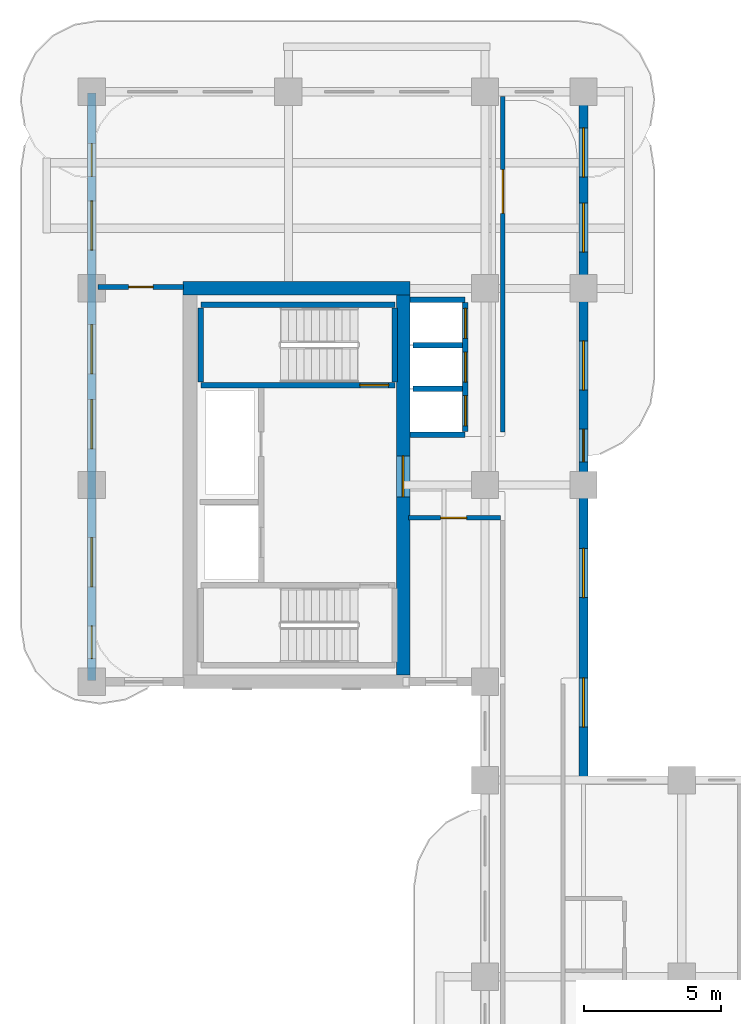
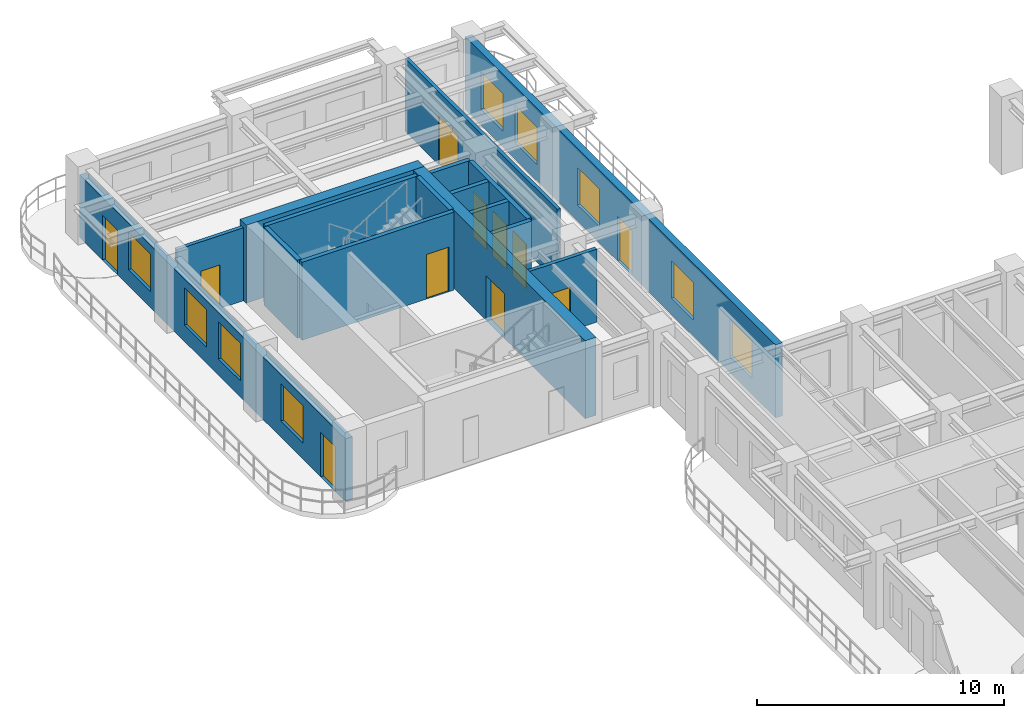
# One storey, part 9 of 15: 16 walls, 11 doors, 9 windows, 20 openings.
"""IFC4 building model written with IfcOpenShell, lengths in metres."""

from ifc_helpers import new_model, si_unit, derived_unit, direction, frame, frame_2d, origin, place, context, subcontext, project, spatial, rectangle, extrude, source, transform, mapped, material, layer, layer_set, type_object, type_shapes, element, fill, save


model = new_model("IFC4")

# Units and contexts
model_context = context("Model", 3, precision=1e-05, world=origin(), true_north=direction((0.0, 1.0)))
body_context = subcontext(model_context, "Body", "Model", "MODEL_VIEW")
ifc_project = project(units=[si_unit("LENGTHUNIT", "METRE"), si_unit("AREAUNIT", "SQUARE_METRE"), si_unit("VOLUMEUNIT", "CUBIC_METRE"), si_unit("PLANEANGLEUNIT", "RADIAN"), si_unit("MASSUNIT", "GRAM", prefix="KILO"), si_unit("THERMODYNAMICTEMPERATUREUNIT", "KELVIN"), si_unit("POWERUNIT", "WATT"), derived_unit("THERMALTRANSMITTANCEUNIT", [(si_unit("POWERUNIT", "WATT"), 1), (si_unit("AREAUNIT", "SQUARE_METRE"), -1), (si_unit("THERMODYNAMICTEMPERATUREUNIT", "KELVIN"), -1)])], contexts=[model_context])

# Site, building, storey
site_placement = place(None, origin())
site = spatial("IfcSite", under=ifc_project, at=site_placement, CompositionType="ELEMENT")
building_placement = place(site_placement, origin())
building = spatial("IfcBuilding", under=site, at=building_placement, Name="Zahravan Archway Hotel and Residences", CompositionType="ELEMENT")
storey_placement = place(building_placement, frame((0.0, 0.0, 184.949951171875)))
storey = spatial("IfcBuildingStorey", under=building, at=storey_placement, Name="L46", CompositionType="ELEMENT", Elevation=184.949951171875)

# Wall
ifc_material_1 = material(Name="Concrete C60/75", Category="concrete")
ifc_layer_1 = layer(ifc_material_1, 0.5, Name="Concrete C60/75", Category="concrete")
ifc_layer_set_1 = layer_set([ifc_layer_1], Name="Concrete C60/75")
wall_type_1 = type_object("IfcWallType", Name="CW-CORE-500", PredefinedType="SHEAR", material=ifc_layer_set_1)
wall_1_placement = place(storey_placement, frame((3.35009765625, 39.60009765625, 0.0), z_axis=(0.0, 0.0, 1.0), x_axis=(1.0, 0.0, 0.0)))
element("IfcWall", 1, at=wall_1_placement, inside=storey, type_object=wall_type_1, Name="L46 Core B Shear N Wall 500 mm", PredefinedType="SHEAR", context=body_context, shape_type="SweptSolid", body=[
    extrude(rectangle(XDim=8.2998046875, YDim=0.5, at=frame_2d((4.14990234375, 0.0))), origin(), (0.0, 0.0, 1.0), 3.85009765625),
])

# Wall, opening, door
wall_2_placement = place(storey_placement, frame((11.39990234375, 25.449951171875, 0.0), z_axis=(0.0, 0.0, 1.0), x_axis=(0.0, 1.0, 0.0)))
wall_2 = element("IfcWall", 2, at=wall_2_placement, inside=storey, type_object=wall_type_1, Name="L46 Core B Shear E Wall 500 mm", PredefinedType="SHEAR", context=body_context, shape_type="SweptSolid", body=[
    extrude(rectangle(XDim=13.900146484375, YDim=0.5, at=frame_2d((6.9501953125, 0.0))), origin(), (0.0, 0.0, 1.0), 3.85009765625),
])
opening_1_placement = place(wall_2_placement, frame((6.52001953125, 0.0, 0.0)))
opening_1 = element("IfcOpeningElement", 3, at=opening_1_placement, cuts=wall_2, Name="Opening FD-L1", PredefinedType="OPENING", context=body_context, shape_type="SweptSolid", body=[
    extrude(rectangle(XDim=1.5, YDim=2.199951171875, at=frame_2d((0.75, 1.10009765625))), frame((0.0, 0.260009765625, 0.0), z_axis=(0.0, -1.0, 0.0), x_axis=(1.0, 0.0, 0.0)), (0.0, 0.0, 1.0), 0.52001953125),
])
ifc_material_2 = material(Name="Fire-Rated Painted Steel", Category="steel")
door_type_1 = type_object("IfcDoorType", Name="FD-LOBBY-1500", OperationType="DOUBLE_DOOR_SINGLE_SWING", PredefinedType="DOOR", material=ifc_material_2)
shared_shape_1 = source(origin(), body_context, "Body", "SweptSolid", [
    extrude(rectangle(XDim=1.5, YDim=2.199951171875, at=frame_2d((0.75, 1.10009765625))), frame((0.0, 0.02490234375, 0.0), z_axis=(0.0, -1.0, 0.0), x_axis=(1.0, 0.0, 0.0)), (0.0, 0.0, 1.0), 0.050048828125),
])
type_shapes(door_type_1, [shared_shape_1])
door_1_placement = place(opening_1_placement, origin())
door_1 = element("IfcDoor", 4, at=door_1_placement, inside=storey, type_object=door_type_1, Name="L46 Core B FSAE Lobby Door", OperationType="DOUBLE_DOOR_SINGLE_SWING", OverallHeight=2.199951171875, OverallWidth=1.5, PredefinedType="DOOR", context=body_context, shape_type="MappedRepresentation", body=[
    mapped(shared_shape_1, transform((0.0, 0.0, 0.0), scale=1.0)),
])
fill(opening_1, door_1)

# Wall, openings, doors, windows
ifc_material_3 = material(Name="Agra Buff Sandstone & Insulated Backup", Category="masonry")
ifc_layer_2 = layer(ifc_material_3, 0.320068359375, Name="Agra Buff Sandstone & Insulated Backup", Category="masonry")
ifc_layer_set_2 = layer_set([ifc_layer_2], Name="Agra Buff Sandstone & Insulated Backup")
wall_type_2 = type_object("IfcWallType", Name="EW-SAND-320", PredefinedType="SOLIDWALL", material=ifc_layer_set_2)
wall_3_placement = place(storey_placement, frame((0.0, 25.25, 0.0), z_axis=(0.0, 0.0, 1.0), x_axis=(0.0, 1.0, 0.0)))
wall_3 = element("IfcWall", 5, at=wall_3_placement, inside=storey, type_object=wall_type_2, Name="L46 Exterior Sandstone Wall WB-W", PredefinedType="SOLIDWALL", context=body_context, shape_type="SweptSolid", body=[
    extrude(rectangle(XDim=21.5, YDim=0.320068359375, at=frame_2d((10.75, 0.0))), origin(), (0.0, 0.0, 1.0), 3.0849609375),
])
opening_2_placement = place(wall_3_placement, frame((18.449951171875, 0.0, 0.0)))
opening_2 = element("IfcOpeningElement", 6, at=opening_2_placement, cuts=wall_3, Name="Opening ED-BL1", PredefinedType="OPENING", context=body_context, shape_type="SweptSolid", body=[
    extrude(rectangle(XDim=1.199951171875, YDim=2.199951171875, at=frame_2d((0.60009765625, 1.10009765625))), frame((0.0, 0.169921875, 0.0), z_axis=(0.0, -1.0, 0.0), x_axis=(1.0, 0.0, 0.0)), (0.0, 0.0, 1.0), 0.340087890625),
])
opening_3_placement = place(wall_3_placement, frame((0.800048828125, 0.0, 0.0)))
opening_3 = element("IfcOpeningElement", 7, at=opening_3_placement, cuts=wall_3, Name="Opening ED-BL1", PredefinedType="OPENING", context=body_context, shape_type="SweptSolid", body=[
    extrude(rectangle(XDim=1.199951171875, YDim=2.199951171875, at=frame_2d((0.60009765625, 1.10009765625))), frame((0.0, 0.169921875, 0.0), z_axis=(0.0, -1.0, 0.0), x_axis=(1.0, 0.0, 0.0)), (0.0, 0.0, 1.0), 0.340087890625),
])
opening_4_placement = place(wall_3_placement, frame((3.425048828125, 0.0, 0.800048828125)))
opening_4 = element("IfcOpeningElement", 8, at=opening_4_placement, cuts=wall_3, Name="Opening W-02", PredefinedType="OPENING", context=body_context, shape_type="SweptSolid", body=[
    extrude(rectangle(XDim=1.800048828125, YDim=1.85009765625, at=frame_2d((0.89990234375, 0.925048828125))), frame((0.0, 0.169921875, 0.0), z_axis=(0.0, -1.0, 0.0), x_axis=(1.0, 0.0, 0.0)), (0.0, 0.0, 1.0), 0.340087890625),
])
opening_5_placement = place(wall_3_placement, frame((8.47509765625, 0.0, 0.800048828125)))
opening_5 = element("IfcOpeningElement", 9, at=opening_5_placement, cuts=wall_3, Name="Opening W-02", PredefinedType="OPENING", context=body_context, shape_type="SweptSolid", body=[
    extrude(rectangle(XDim=1.800048828125, YDim=1.85009765625, at=frame_2d((0.89990234375, 0.925048828125))), frame((0.0, 0.169921875, 0.0), z_axis=(0.0, -1.0, 0.0), x_axis=(1.0, 0.0, 0.0)), (0.0, 0.0, 1.0), 0.340087890625),
])
opening_6_placement = place(wall_3_placement, frame((11.22509765625, 0.0, 0.800048828125)))
opening_6 = element("IfcOpeningElement", 10, at=opening_6_placement, cuts=wall_3, Name="Opening W-02", PredefinedType="OPENING", context=body_context, shape_type="SweptSolid", body=[
    extrude(rectangle(XDim=1.800048828125, YDim=1.85009765625, at=frame_2d((0.89990234375, 0.925048828125))), frame((0.0, 0.169921875, 0.0), z_axis=(0.0, -1.0, 0.0), x_axis=(1.0, 0.0, 0.0)), (0.0, 0.0, 1.0), 0.340087890625),
])
opening_7_placement = place(wall_3_placement, frame((15.75, 0.0, 0.800048828125)))
opening_7 = element("IfcOpeningElement", 11, at=opening_7_placement, cuts=wall_3, Name="Opening W-02", PredefinedType="OPENING", context=body_context, shape_type="SweptSolid", body=[
    extrude(rectangle(XDim=1.800048828125, YDim=1.85009765625, at=frame_2d((0.89990234375, 0.925048828125))), frame((0.0, 0.169921875, 0.0), z_axis=(0.0, -1.0, 0.0), x_axis=(1.0, 0.0, 0.0)), (0.0, 0.0, 1.0), 0.340087890625),
])
ifc_material_4 = material(Name="Bronze-Anodized Glazed Aluminium", Category="aluminium")
door_type_2 = type_object("IfcDoorType", Name="ED-BALC-1200", OperationType="SLIDING_TO_LEFT", PredefinedType="DOOR", material=ifc_material_4)
shared_shape_2 = source(origin(), body_context, "Body", "SweptSolid", [
    extrude(rectangle(XDim=1.199951171875, YDim=2.199951171875, at=frame_2d((0.60009765625, 1.10009765625))), frame((0.0, 0.02490234375, 0.0), z_axis=(0.0, -1.0, 0.0), x_axis=(1.0, 0.0, 0.0)), (0.0, 0.0, 1.0), 0.050048828125),
])
type_shapes(door_type_2, [shared_shape_2])
door_2_placement = place(opening_2_placement, origin())
door_2 = element("IfcDoor", 12, at=door_2_placement, inside=storey, type_object=door_type_2, Name="L46 Outdoor Access Sliding Door (SLB-BAL-L46-NB)", OperationType="SLIDING_TO_LEFT", OverallHeight=2.199951171875, OverallWidth=1.199951171875, PredefinedType="DOOR", context=body_context, shape_type="MappedRepresentation", body=[
    mapped(shared_shape_2, transform((0.0, 0.0, 0.0), scale=1.0)),
])
fill(opening_2, door_2)
door_3_placement = place(opening_3_placement, origin())
door_3 = element("IfcDoor", 13, at=door_3_placement, inside=storey, type_object=door_type_2, Name="L46 Outdoor Access Sliding Door (SLB-BAL-L46-WB)", OperationType="SLIDING_TO_LEFT", OverallHeight=2.199951171875, OverallWidth=1.199951171875, PredefinedType="DOOR", context=body_context, shape_type="MappedRepresentation", body=[
    mapped(shared_shape_2, transform((0.0, 0.0, 0.0), scale=1.0)),
])
fill(opening_3, door_3)
ifc_material_5 = material(Name="Bronze-Anodized Thermal-Break Aluminium & Low-E Glass", Category="aluminium")
window_type = type_object("IfcWindowType", Name="WIN-TWR-1800", PartitioningType="DOUBLE_PANEL_VERTICAL", PredefinedType="WINDOW", material=ifc_material_5)
shared_shape_3 = source(origin(), body_context, "Body", "SweptSolid", [
    extrude(rectangle(XDim=1.800048828125, YDim=1.85009765625, at=frame_2d((0.89990234375, 0.925048828125))), frame((0.0, 0.030029296875, 0.0), z_axis=(0.0, -1.0, 0.0), x_axis=(1.0, 0.0, 0.0)), (0.0, 0.0, 1.0), 0.06005859375),
])
type_shapes(window_type, [shared_shape_3])
window_1_placement = place(opening_4_placement, origin())
window_1 = element("IfcWindow", 14, at=window_1_placement, inside=storey, type_object=window_type, Name="L46 Loggia Window 30", OverallHeight=1.85009765625, OverallWidth=1.800048828125, PartitioningType="DOUBLE_PANEL_VERTICAL", PredefinedType="WINDOW", context=body_context, shape_type="MappedRepresentation", body=[
    mapped(shared_shape_3, transform((0.0, 0.0, 0.0), scale=1.0)),
])
fill(opening_4, window_1)
window_2_placement = place(opening_5_placement, origin())
window_2 = element("IfcWindow", 15, at=window_2_placement, inside=storey, type_object=window_type, Name="L46 Loggia Window 31", OverallHeight=1.85009765625, OverallWidth=1.800048828125, PartitioningType="DOUBLE_PANEL_VERTICAL", PredefinedType="WINDOW", context=body_context, shape_type="MappedRepresentation", body=[
    mapped(shared_shape_3, transform((0.0, 0.0, 0.0), scale=1.0)),
])
fill(opening_5, window_2)
window_3_placement = place(opening_6_placement, origin())
window_3 = element("IfcWindow", 16, at=window_3_placement, inside=storey, type_object=window_type, Name="L46 Loggia Window 32", OverallHeight=1.85009765625, OverallWidth=1.800048828125, PartitioningType="DOUBLE_PANEL_VERTICAL", PredefinedType="WINDOW", context=body_context, shape_type="MappedRepresentation", body=[
    mapped(shared_shape_3, transform((0.0, 0.0, 0.0), scale=1.0)),
])
fill(opening_6, window_3)
window_4_placement = place(opening_7_placement, origin())
window_4 = element("IfcWindow", 17, at=window_4_placement, inside=storey, type_object=window_type, Name="L46 Loggia Window 33", OverallHeight=1.85009765625, OverallWidth=1.800048828125, PartitioningType="DOUBLE_PANEL_VERTICAL", PredefinedType="WINDOW", context=body_context, shape_type="MappedRepresentation", body=[
    mapped(shared_shape_3, transform((0.0, 0.0, 0.0), scale=1.0)),
])
fill(opening_7, window_4)

# Wall, openings, door, windows
wall_4_placement = place(storey_placement, frame((18.0, 21.64990234375, 0.0), z_axis=(0.0, 0.0, 1.0), x_axis=(0.0, 1.0, 0.0)))
wall_4 = element("IfcWall", 18, at=wall_4_placement, inside=storey, type_object=wall_type_2, Name="L46 Exterior Sandstone Wall WB-EU", PredefinedType="SOLIDWALL", context=body_context, shape_type="SweptSolid", body=[
    extrude(rectangle(XDim=25.10009765625, YDim=0.320068359375, at=frame_2d((12.550048828125, 0.0))), origin(), (0.0, 0.0, 1.0), 3.60009765625),
])
opening_8_placement = place(wall_4_placement, frame((11.60009765625, 0.0, 0.0)))
opening_8 = element("IfcOpeningElement", 19, at=opening_8_placement, cuts=wall_4, Name="Opening ED-BL1", PredefinedType="OPENING", context=body_context, shape_type="SweptSolid", body=[
    extrude(rectangle(XDim=1.199951171875, YDim=2.199951171875, at=frame_2d((0.60009765625, 1.10009765625))), frame((0.0, 0.169921875, 0.0), z_axis=(0.0, -1.0, 0.0), x_axis=(1.0, 0.0, 0.0)), (0.0, 0.0, 1.0), 0.340087890625),
])
opening_9_placement = place(wall_4_placement, frame((1.889892578125, 0.0, 0.800048828125)))
opening_9 = element("IfcOpeningElement", 20, at=opening_9_placement, cuts=wall_4, Name="Opening W-02", PredefinedType="OPENING", context=body_context, shape_type="SweptSolid", body=[
    extrude(rectangle(XDim=1.800048828125, YDim=1.85009765625, at=frame_2d((0.89990234375, 0.925048828125))), frame((0.0, 0.169921875, 0.0), z_axis=(0.0, -1.0, 0.0), x_axis=(1.0, 0.0, 0.0)), (0.0, 0.0, 1.0), 0.340087890625),
])
opening_10_placement = place(wall_4_placement, frame((6.6298828125, 0.0, 0.800048828125)))
opening_10 = element("IfcOpeningElement", 21, at=opening_10_placement, cuts=wall_4, Name="Opening W-02", PredefinedType="OPENING", context=body_context, shape_type="SweptSolid", body=[
    extrude(rectangle(XDim=1.800048828125, YDim=1.85009765625, at=frame_2d((0.89990234375, 0.925048828125))), frame((0.0, 0.169921875, 0.0), z_axis=(0.0, -1.0, 0.0), x_axis=(1.0, 0.0, 0.0)), (0.0, 0.0, 1.0), 0.340087890625),
])
opening_11_placement = place(wall_4_placement, frame((14.22509765625, 0.0, 0.800048828125)))
opening_11 = element("IfcOpeningElement", 22, at=opening_11_placement, cuts=wall_4, Name="Opening W-02", PredefinedType="OPENING", context=body_context, shape_type="SweptSolid", body=[
    extrude(rectangle(XDim=1.800048828125, YDim=1.85009765625, at=frame_2d((0.89990234375, 0.925048828125))), frame((0.0, 0.169921875, 0.0), z_axis=(0.0, -1.0, 0.0), x_axis=(1.0, 0.0, 0.0)), (0.0, 0.0, 1.0), 0.340087890625),
])
opening_12_placement = place(wall_4_placement, frame((19.27490234375, 0.0, 0.800048828125)))
opening_12 = element("IfcOpeningElement", 23, at=opening_12_placement, cuts=wall_4, Name="Opening W-02", PredefinedType="OPENING", context=body_context, shape_type="SweptSolid", body=[
    extrude(rectangle(XDim=1.800048828125, YDim=1.85009765625, at=frame_2d((0.89990234375, 0.925048828125))), frame((0.0, 0.169921875, 0.0), z_axis=(0.0, -1.0, 0.0), x_axis=(1.0, 0.0, 0.0)), (0.0, 0.0, 1.0), 0.340087890625),
])
opening_13_placement = place(wall_4_placement, frame((22.02490234375, 0.0, 0.800048828125)))
opening_13 = element("IfcOpeningElement", 24, at=opening_13_placement, cuts=wall_4, Name="Opening W-02", PredefinedType="OPENING", context=body_context, shape_type="SweptSolid", body=[
    extrude(rectangle(XDim=1.800048828125, YDim=1.85009765625, at=frame_2d((0.89990234375, 0.925048828125))), frame((0.0, 0.169921875, 0.0), z_axis=(0.0, -1.0, 0.0), x_axis=(1.0, 0.0, 0.0)), (0.0, 0.0, 1.0), 0.340087890625),
])
door_4_placement = place(opening_8_placement, origin())
door_4 = element("IfcDoor", 25, at=door_4_placement, inside=storey, type_object=door_type_2, Name="L46 Outdoor Access Sliding Door (SLB-BAL-L46-EB)", OperationType="SLIDING_TO_LEFT", OverallHeight=2.199951171875, OverallWidth=1.199951171875, PredefinedType="DOOR", context=body_context, shape_type="MappedRepresentation", body=[
    mapped(shared_shape_2, transform((0.0, 0.0, 0.0), scale=1.0)),
])
fill(opening_8, door_4)
window_5_placement = place(opening_9_placement, origin())
window_5 = element("IfcWindow", 26, at=window_5_placement, inside=storey, type_object=window_type, Name="L46 Loggia Window 39", OverallHeight=1.85009765625, OverallWidth=1.800048828125, PartitioningType="DOUBLE_PANEL_VERTICAL", PredefinedType="WINDOW", context=body_context, shape_type="MappedRepresentation", body=[
    mapped(shared_shape_3, transform((0.0, 0.0, 0.0), scale=1.0)),
])
fill(opening_9, window_5)
window_6_placement = place(opening_10_placement, origin())
window_6 = element("IfcWindow", 27, at=window_6_placement, inside=storey, type_object=window_type, Name="L46 Loggia Window 40", OverallHeight=1.85009765625, OverallWidth=1.800048828125, PartitioningType="DOUBLE_PANEL_VERTICAL", PredefinedType="WINDOW", context=body_context, shape_type="MappedRepresentation", body=[
    mapped(shared_shape_3, transform((0.0, 0.0, 0.0), scale=1.0)),
])
fill(opening_10, window_6)
window_7_placement = place(opening_11_placement, origin())
window_7 = element("IfcWindow", 28, at=window_7_placement, inside=storey, type_object=window_type, Name="L46 Loggia Window 41", OverallHeight=1.85009765625, OverallWidth=1.800048828125, PartitioningType="DOUBLE_PANEL_VERTICAL", PredefinedType="WINDOW", context=body_context, shape_type="MappedRepresentation", body=[
    mapped(shared_shape_3, transform((0.0, 0.0, 0.0), scale=1.0)),
])
fill(opening_11, window_7)
window_8_placement = place(opening_12_placement, origin())
window_8 = element("IfcWindow", 29, at=window_8_placement, inside=storey, type_object=window_type, Name="L46 Loggia Window 42", OverallHeight=1.85009765625, OverallWidth=1.800048828125, PartitioningType="DOUBLE_PANEL_VERTICAL", PredefinedType="WINDOW", context=body_context, shape_type="MappedRepresentation", body=[
    mapped(shared_shape_3, transform((0.0, 0.0, 0.0), scale=1.0)),
])
fill(opening_12, window_8)
window_9_placement = place(opening_13_placement, origin())
window_9 = element("IfcWindow", 30, at=window_9_placement, inside=storey, type_object=window_type, Name="L46 Loggia Window 43", OverallHeight=1.85009765625, OverallWidth=1.800048828125, PartitioningType="DOUBLE_PANEL_VERTICAL", PredefinedType="WINDOW", context=body_context, shape_type="MappedRepresentation", body=[
    mapped(shared_shape_3, transform((0.0, 0.0, 0.0), scale=1.0)),
])
fill(opening_13, window_9)

# Wall, opening, door
ifc_material_6 = material(Name="Fire-Rated Gypsum & Concrete Block", Category="concrete")
ifc_layer_3 = layer(ifc_material_6, 0.159912109375, Name="Fire-Rated Gypsum & Concrete Block", Category="concrete")
ifc_layer_set_3 = layer_set([ifc_layer_3], Name="Fire-Rated Gypsum & Concrete Block")
wall_type_3 = type_object("IfcWallType", Name="PW-CORR-160", PredefinedType="PARTITIONING", material=ifc_layer_set_3)
wall_5_placement = place(storey_placement, frame((15.050048828125, 34.340087890625, 0.0), z_axis=(0.0, 0.0, 1.0), x_axis=(0.0, 1.0, 0.0)))
wall_5 = element("IfcWall", 31, at=wall_5_placement, inside=storey, type_object=wall_type_3, Name="L46 Partition WBN-C", PredefinedType="PARTITIONING", context=body_context, shape_type="SweptSolid", body=[
    extrude(rectangle(XDim=12.2919921875, YDim=0.159912109375, at=frame_2d((6.14599609375, 0.0))), origin(), (0.0, 0.0, 1.0), 3.60009765625),
])
opening_14_placement = place(wall_5_placement, frame((8.010009765625, 0.0, 0.0)))
opening_14 = element("IfcOpeningElement", 32, at=opening_14_placement, cuts=wall_5, Name="Opening D-P2", PredefinedType="OPENING", context=body_context, shape_type="SweptSolid", body=[
    extrude(rectangle(XDim=1.60009765625, YDim=2.39990234375, at=frame_2d((0.800048828125, 1.199951171875))), frame((0.0, 0.08984375, 0.0), z_axis=(0.0, -1.0, 0.0), x_axis=(1.0, 0.0, 0.0)), (0.0, 0.0, 1.0), 0.179931640625),
])
door_type_3 = type_object("IfcDoorType", Name="ID-PUBLIC-1600", OperationType="DOUBLE_DOOR_SINGLE_SWING", PredefinedType="DOOR", material=ifc_material_4)
shared_shape_4 = source(origin(), body_context, "Body", "SweptSolid", [
    extrude(rectangle(XDim=1.60009765625, YDim=2.39990234375, at=frame_2d((0.800048828125, 1.199951171875))), frame((0.0, 0.02490234375, 0.0), z_axis=(0.0, -1.0, 0.0), x_axis=(1.0, 0.0, 0.0)), (0.0, 0.0, 1.0), 0.050048828125),
])
type_shapes(door_type_3, [shared_shape_4])
door_5_placement = place(opening_14_placement, origin())
door_5 = element("IfcDoor", 33, at=door_5_placement, inside=storey, type_object=door_type_3, Name="L46 North Wing Spa Salon Door", OperationType="DOUBLE_DOOR_SINGLE_SWING", OverallHeight=2.39990234375, OverallWidth=1.60009765625, PredefinedType="DOOR", context=body_context, shape_type="MappedRepresentation", body=[
    mapped(shared_shape_4, transform((0.0, 0.0, 0.0), scale=1.0)),
])
fill(opening_14, door_5)

# Walls
ifc_layer_4 = layer(ifc_material_6, 0.199951171875, Name="Fire-Rated Gypsum & Concrete Block", Category="concrete")
ifc_layer_set_4 = layer_set([ifc_layer_4], Name="Fire-Rated Gypsum & Concrete Block")
wall_type_4 = type_object("IfcWallType", Name="PW-SHAFT-200", PredefinedType="PARTITIONING", material=ifc_layer_set_4)
for number, where, z_axis, x_axis, name in (
    (34, (11.659912109375, 34.25, 0.0), (0.0, 0.0, 1.0), (1.0, 0.0, 0.0), "L46 Partition B2-S"),
    (35, (11.659912109375, 39.18994140625, 0.0), (0.0, 0.0, 1.0), (1.0, 0.0, 0.0), "L46 Partition B2-N"),
):
    element("IfcWall", number, at=place(storey_placement, frame(where, z_axis=z_axis, x_axis=x_axis)), inside=storey, type_object=wall_type_4, Name=name, PredefinedType="PARTITIONING", context=body_context, shape_type="SweptSolid", body=[
        extrude(rectangle(XDim=2.010009765625, YDim=0.199951171875, at=frame_2d((1.0048828125, 0.0))), origin(), (0.0, 0.0, 1.0), 3.60009765625),
    ])

# Wall, openings, doors
wall_6_placement = place(storey_placement, frame((13.679931640625, 34.360107421875, 0.0), z_axis=(0.0, 0.0, 1.0), x_axis=(0.0, 1.0, 0.0)))
wall_6 = element("IfcWall", 36, at=wall_6_placement, inside=storey, type_object=wall_type_4, Name="L46 Partition B2-E", PredefinedType="PARTITIONING", context=body_context, shape_type="SweptSolid", body=[
    extrude(rectangle(XDim=4.719970703125, YDim=0.199951171875, at=frame_2d((2.35986328125, 0.0))), origin(), (0.0, 0.0, 1.0), 3.60009765625),
])
opening_15_placement = place(wall_6_placement, frame((0.2099609375, 0.0, 0.0)))
opening_15 = element("IfcOpeningElement", 37, at=opening_15_placement, cuts=wall_6, Name="Opening LD", PredefinedType="OPENING", context=body_context, shape_type="SweptSolid", body=[
    extrude(rectangle(XDim=1.10009765625, YDim=2.199951171875, at=frame_2d((0.550048828125, 1.10009765625))), frame((0.0, 0.10986328125, 0.0), z_axis=(0.0, -1.0, 0.0), x_axis=(1.0, 0.0, 0.0)), (0.0, 0.0, 1.0), 0.219970703125),
])
opening_16_placement = place(wall_6_placement, frame((1.81005859375, 0.0, 0.0)))
opening_16 = element("IfcOpeningElement", 38, at=opening_16_placement, cuts=wall_6, Name="Opening LD", PredefinedType="OPENING", context=body_context, shape_type="SweptSolid", body=[
    extrude(rectangle(XDim=1.10009765625, YDim=2.199951171875, at=frame_2d((0.550048828125, 1.10009765625))), frame((0.0, 0.10986328125, 0.0), z_axis=(0.0, -1.0, 0.0), x_axis=(1.0, 0.0, 0.0)), (0.0, 0.0, 1.0), 0.219970703125),
])
opening_17_placement = place(wall_6_placement, frame((3.409912109375, 0.0, 0.0)))
opening_17 = element("IfcOpeningElement", 39, at=opening_17_placement, cuts=wall_6, Name="Opening LD", PredefinedType="OPENING", context=body_context, shape_type="SweptSolid", body=[
    extrude(rectangle(XDim=1.10009765625, YDim=2.199951171875, at=frame_2d((0.550048828125, 1.10009765625))), frame((0.0, 0.10986328125, 0.0), z_axis=(0.0, -1.0, 0.0), x_axis=(1.0, 0.0, 0.0)), (0.0, 0.0, 1.0), 0.219970703125),
])
ifc_material_7 = material(Name="Brushed Stainless Steel", Category="steel")
door_type_4 = type_object("IfcDoorType", Name="DR-LIFT-LD", OperationType="SLIDING_TO_LEFT", PredefinedType="DOOR", material=ifc_material_7)
shared_shape_5 = source(origin(), body_context, "Body", "SweptSolid", [
    extrude(rectangle(XDim=1.10009765625, YDim=2.199951171875, at=frame_2d((0.550048828125, 1.10009765625))), frame((0.0, 0.02490234375, 0.0), z_axis=(0.0, -1.0, 0.0), x_axis=(1.0, 0.0, 0.0)), (0.0, 0.0, 1.0), 0.050048828125),
])
type_shapes(door_type_4, [shared_shape_5])
door_6_placement = place(opening_15_placement, origin())
door_6 = element("IfcDoor", 40, at=door_6_placement, inside=storey, type_object=door_type_4, Name="L46 Lift LP-4 Sliding Landing Door", OperationType="SLIDING_TO_LEFT", OverallHeight=2.199951171875, OverallWidth=1.10009765625, PredefinedType="DOOR", context=body_context, shape_type="MappedRepresentation", body=[
    mapped(shared_shape_5, transform((0.0, 0.0, 0.0), scale=1.0)),
])
fill(opening_15, door_6)
door_7_placement = place(opening_16_placement, origin())
door_7 = element("IfcDoor", 41, at=door_7_placement, inside=storey, type_object=door_type_4, Name="L46 Lift LP-5 Sliding Landing Door", OperationType="SLIDING_TO_LEFT", OverallHeight=2.199951171875, OverallWidth=1.10009765625, PredefinedType="DOOR", context=body_context, shape_type="MappedRepresentation", body=[
    mapped(shared_shape_5, transform((0.0, 0.0, 0.0), scale=1.0)),
])
fill(opening_16, door_7)
door_8_placement = place(opening_17_placement, origin())
door_8 = element("IfcDoor", 42, at=door_8_placement, inside=storey, type_object=door_type_4, Name="L46 Lift LP-6 Sliding Landing Door", OperationType="SLIDING_TO_LEFT", OverallHeight=2.199951171875, OverallWidth=1.10009765625, PredefinedType="DOOR", context=body_context, shape_type="MappedRepresentation", body=[
    mapped(shared_shape_5, transform((0.0, 0.0, 0.0), scale=1.0)),
])
fill(opening_17, door_8)

# Walls
for number, where, z_axis, x_axis, name in (
    (43, (11.760009765625, 35.919921875, 0.0), (0.0, 0.0, 1.0), (1.0, 0.0, 0.0), "L46 Partition B2-D"),
    (44, (11.760009765625, 37.52001953125, 0.0), (0.0, 0.0, 1.0), (1.0, 0.0, 0.0), "L46 Partition B2-D"),
):
    element("IfcWall", number, at=place(storey_placement, frame(where, z_axis=z_axis, x_axis=x_axis)), inside=storey, type_object=wall_type_4, Name=name, PredefinedType="PARTITIONING", context=body_context, shape_type="SweptSolid", body=[
        extrude(rectangle(XDim=1.81005859375, YDim=0.199951171875, at=frame_2d((0.905029296875, 0.0))), origin(), (0.0, 0.0, 1.0), 3.60009765625),
    ])

# Wall, opening, door
ifc_material_8 = material(Name="Acoustic Stud Partition")
ifc_layer_5 = layer(ifc_material_8, 0.169921875, Name="Acoustic Stud Partition")
ifc_layer_set_5 = layer_set([ifc_layer_5], Name="Acoustic Stud Partition")
wall_type_5 = type_object("IfcWallType", Name="PW-UNIT-170", PredefinedType="PARTITIONING", material=ifc_layer_set_5)
wall_7_placement = place(storey_placement, frame((0.239990234375, 39.64990234375, 0.0), z_axis=(0.0, 0.0, 1.0), x_axis=(1.0, 0.0, 0.0)))
wall_7 = element("IfcWall", 45, at=wall_7_placement, inside=storey, type_object=wall_type_5, Name="L46 Partition WBW-N", PredefinedType="PARTITIONING", context=body_context, shape_type="SweptSolid", body=[
    extrude(rectangle(XDim=3.1201171875, YDim=0.169921875, at=frame_2d((1.56005859375, 0.0))), origin(), (0.0, 0.0, 1.0), 3.60009765625),
])
opening_18_placement = place(wall_7_placement, frame((1.110107421875, 0.0, 0.0)))
opening_18 = element("IfcOpeningElement", 46, at=opening_18_placement, cuts=wall_7, Name="Opening D-I2", PredefinedType="OPENING", context=body_context, shape_type="SweptSolid", body=[
    extrude(rectangle(XDim=0.89990234375, YDim=2.14990234375, at=frame_2d((0.449951171875, 1.074951171875))), frame((0.0, 0.094970703125, 0.0), z_axis=(0.0, -1.0, 0.0), x_axis=(1.0, 0.0, 0.0)), (0.0, 0.0, 1.0), 0.18994140625),
])
ifc_material_9 = material(Name="Hardwood Veneer Timber", Category="wood")
door_type_5 = type_object("IfcDoorType", Name="ID-INT-900", OperationType="NOTDEFINED", PredefinedType="DOOR", material=ifc_material_9)
shared_shape_6 = source(origin(), body_context, "Body", "SweptSolid", [
    extrude(rectangle(XDim=0.89990234375, YDim=2.14990234375, at=frame_2d((0.449951171875, 1.074951171875))), frame((0.0, 0.02490234375, 0.0), z_axis=(0.0, -1.0, 0.0), x_axis=(1.0, 0.0, 0.0)), (0.0, 0.0, 1.0), 0.050048828125),
])
type_shapes(door_type_5, [shared_shape_6])
door_9_placement = place(opening_18_placement, origin())
door_9 = element("IfcDoor", 47, at=door_9_placement, inside=storey, type_object=door_type_5, Name="L46 West Loggia Salon Door", OperationType="SINGLE_SWING_RIGHT", OverallHeight=2.14990234375, OverallWidth=0.89990234375, PredefinedType="DOOR", context=body_context, shape_type="MappedRepresentation", body=[
    mapped(shared_shape_6, transform((0.0, 0.0, 0.0), scale=1.0)),
])
fill(opening_18, door_9)

wall_8_placement = place(storey_placement, frame((11.590087890625, 31.199951171875, 0.0), z_axis=(0.0, 0.0, 1.0), x_axis=(1.0, 0.0, 0.0)))
wall_8 = element("IfcWall", 48, at=wall_8_placement, inside=storey, type_object=wall_type_5, Name="L46 Partition FB1-N", PredefinedType="PARTITIONING", context=body_context, shape_type="SweptSolid", body=[
    extrude(rectangle(XDim=3.369873046875, YDim=0.169921875, at=frame_2d((1.68505859375, 0.0))), origin(), (0.0, 0.0, 1.0), 3.60009765625),
])
opening_19_placement = place(wall_8_placement, frame((1.18505859375, 0.0, 0.0)))
opening_19 = element("IfcOpeningElement", 49, at=opening_19_placement, cuts=wall_8, Name="Opening D-I1", PredefinedType="OPENING", context=body_context, shape_type="SweptSolid", body=[
    extrude(rectangle(XDim=0.949951171875, YDim=2.14990234375, at=frame_2d((0.47509765625, 1.074951171875))), frame((0.0, 0.094970703125, 0.0), z_axis=(0.0, -1.0, 0.0), x_axis=(1.0, 0.0, 0.0)), (0.0, 0.0, 1.0), 0.18994140625),
])
door_type_6 = type_object("IfcDoorType", Name="ID-INT-950", OperationType="NOTDEFINED", PredefinedType="DOOR", material=ifc_material_9)
shared_shape_7 = source(origin(), body_context, "Body", "SweptSolid", [
    extrude(rectangle(XDim=0.949951171875, YDim=2.14990234375, at=frame_2d((0.47509765625, 1.074951171875))), frame((0.0, 0.02490234375, 0.0), z_axis=(0.0, -1.0, 0.0), x_axis=(1.0, 0.0, 0.0)), (0.0, 0.0, 1.0), 0.050048828125),
])
type_shapes(door_type_6, [shared_shape_7])
door_10_placement = place(opening_19_placement, origin())
door_10 = element("IfcDoor", 50, at=door_10_placement, inside=storey, type_object=door_type_6, Name="L46 Freed Bank 1 Reading Salon Door", OperationType="SINGLE_SWING_LEFT", OverallHeight=2.14990234375, OverallWidth=0.949951171875, PredefinedType="DOOR", context=body_context, shape_type="MappedRepresentation", body=[
    mapped(shared_shape_7, transform((0.0, 0.0, 0.0), scale=1.0)),
])
fill(opening_19, door_10)

# Walls
ifc_material_10 = material(Name="Concrete C50/60", Category="concrete")
ifc_layer_6 = layer(ifc_material_10, 0.199951171875, Name="Concrete C50/60", Category="concrete")
ifc_layer_set_6 = layer_set([ifc_layer_6], Name="Concrete C50/60")
wall_type_6 = type_object("IfcWallType", Name="SW-STAIR-200", PredefinedType="SHEAR", material=ifc_layer_set_6)
wall_9_placement = place(storey_placement, frame((4.0, 39.0, 0.0), z_axis=(0.0, 0.0, 1.0), x_axis=(1.0, 0.0, 0.0)))
element("IfcWall", 51, at=wall_9_placement, inside=storey, type_object=wall_type_6, Name="L46 Stairwell RC Wall CB-SB2N", PredefinedType="SHEAR", context=body_context, shape_type="SweptSolid", body=[
    extrude(rectangle(XDim=7.10009765625, YDim=0.199951171875, at=frame_2d((3.550048828125, 0.0))), origin(), (0.0, 0.0, 1.0), 3.85009765625),
])
for number, where, z_axis, x_axis, name in (
    (52, (4.0, 36.179931640625, 0.0), (0.0, 0.0, 1.0), (0.0, 1.0, 0.0), "L46 Stairwell RC Wall CB-SB2W"),
    (53, (11.10009765625, 36.179931640625, 0.0), (0.0, 0.0, 1.0), (0.0, 1.0, 0.0), "L46 Stairwell RC Wall CB-SB2E"),
):
    element("IfcWall", number, at=place(storey_placement, frame(where, z_axis=z_axis, x_axis=x_axis)), inside=storey, type_object=wall_type_6, Name=name, PredefinedType="SHEAR", context=body_context, shape_type="SweptSolid", body=[
        extrude(rectangle(XDim=2.699951171875, YDim=0.199951171875, at=frame_2d((1.35009765625, 0.0))), origin(), (0.0, 0.0, 1.0), 3.85009765625),
    ])

# Wall, opening, door
wall_10_placement = place(storey_placement, frame((4.0, 36.06005859375, 0.0), z_axis=(0.0, 0.0, 1.0), x_axis=(1.0, 0.0, 0.0)))
wall_10 = element("IfcWall", 54, at=wall_10_placement, inside=storey, type_object=wall_type_6, Name="L46 Stairwell RC Wall CB-SB2S", PredefinedType="SHEAR", context=body_context, shape_type="SweptSolid", body=[
    extrude(rectangle(XDim=7.10009765625, YDim=0.199951171875, at=frame_2d((3.550048828125, 0.0))), origin(), (0.0, 0.0, 1.0), 3.85009765625),
])
opening_20_placement = place(wall_10_placement, frame((5.81494140625, 0.0, 0.0)))
opening_20 = element("IfcOpeningElement", 55, at=opening_20_placement, cuts=wall_10, Name="Opening FD-S1", PredefinedType="OPENING", context=body_context, shape_type="SweptSolid", body=[
    extrude(rectangle(XDim=1.050048828125, YDim=2.199951171875, at=frame_2d((0.52490234375, 1.10009765625))), frame((0.0, 0.10986328125, 0.0), z_axis=(0.0, -1.0, 0.0), x_axis=(1.0, 0.0, 0.0)), (0.0, 0.0, 1.0), 0.219970703125),
])
door_type_7 = type_object("IfcDoorType", Name="FD-STAIR-1100", OperationType="NOTDEFINED", PredefinedType="DOOR", material=ifc_material_2)
shared_shape_8 = source(origin(), body_context, "Body", "SweptSolid", [
    extrude(rectangle(XDim=1.050048828125, YDim=2.199951171875, at=frame_2d((0.52490234375, 1.10009765625))), frame((0.0, 0.02490234375, 0.0), z_axis=(0.0, -1.0, 0.0), x_axis=(1.0, 0.0, 0.0)), (0.0, 0.0, 1.0), 0.050048828125),
])
type_shapes(door_type_7, [shared_shape_8])
door_11_placement = place(opening_20_placement, origin())
door_11 = element("IfcDoor", 56, at=door_11_placement, inside=storey, type_object=door_type_7, Name="L46 Stair ST-B2 Door", OperationType="SINGLE_SWING_LEFT", OverallHeight=2.199951171875, OverallWidth=1.050048828125, PredefinedType="DOOR", context=body_context, shape_type="MappedRepresentation", body=[
    mapped(shared_shape_8, transform((0.0, 0.0, 0.0), scale=1.0)),
])
fill(opening_20, door_11)

save(model, "model.ifc")
